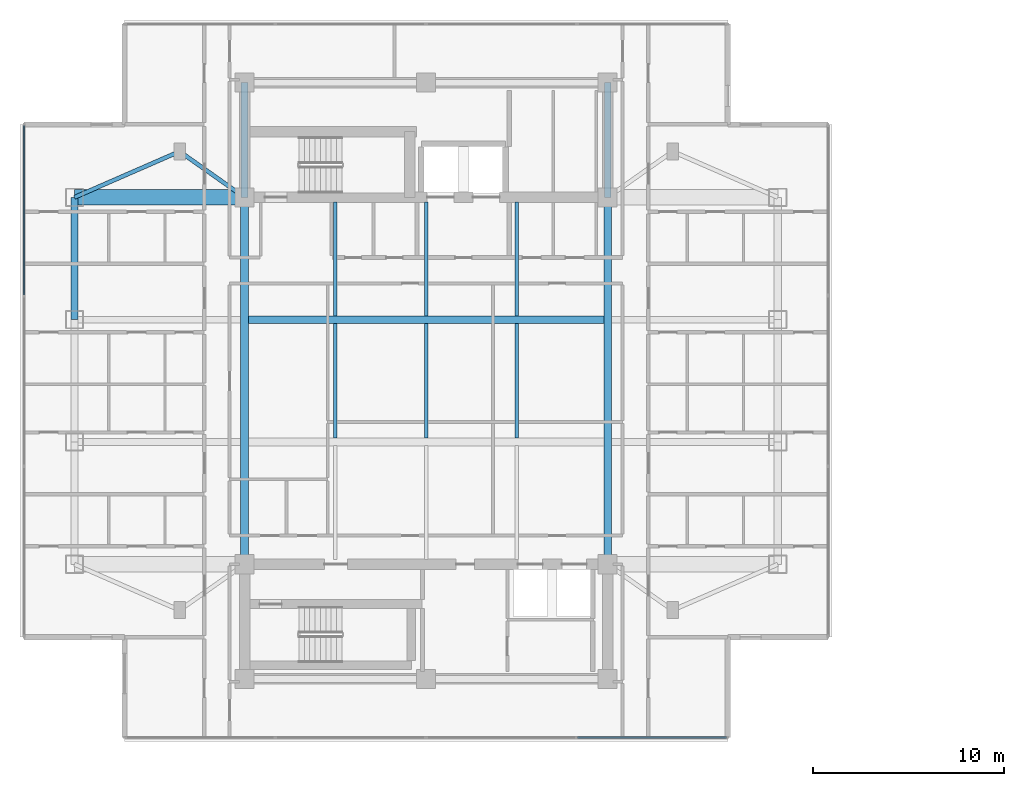
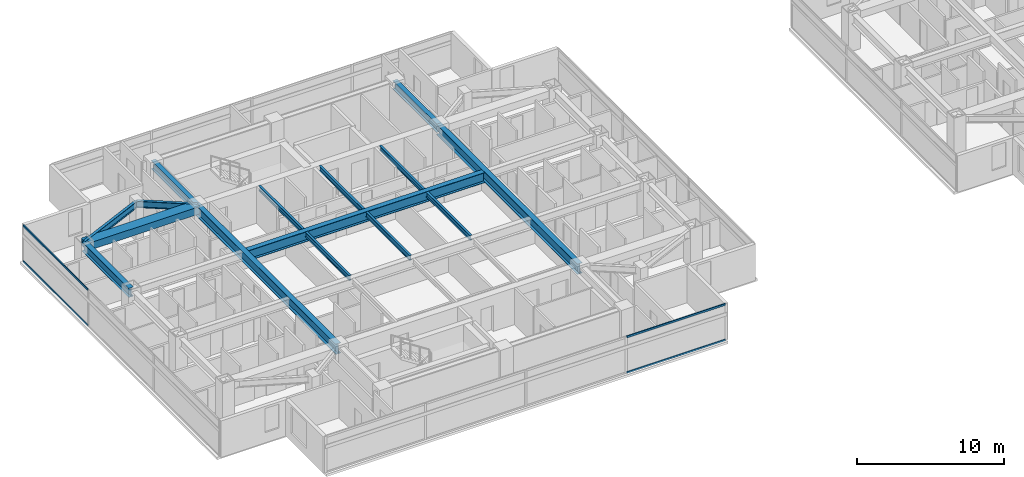
# One storey, part 3 of 26: 15 beams, 4 members, 2 elements without a shape of their own.
"""IFC4 building model written with IfcOpenShell, lengths in metres."""

from ifc_helpers import new_model, si_unit, direction, frame, origin, origin_2d, place, context, subcontext, project, spatial, rectangle, i_section, extrude, material, material_profile, profile_set, type_object, element, aggregate, save


model = new_model("IFC4")

# Units and contexts
model_context = context("Model", 3, precision=1e-05, world=origin(), true_north=direction((0.0, 1.0)))
body_context = subcontext(model_context, "Body", "Model", "MODEL_VIEW")
ifc_project = project(units=[si_unit("LENGTHUNIT", "METRE"), si_unit("AREAUNIT", "SQUARE_METRE"), si_unit("VOLUMEUNIT", "CUBIC_METRE"), si_unit("PLANEANGLEUNIT", "RADIAN"), si_unit("MASSUNIT", "GRAM", prefix="KILO")], contexts=[model_context])

# Site, building, storey
site_placement = place(None, origin())
site = spatial("IfcSite", under=ifc_project, at=site_placement, CompositionType="ELEMENT")
building_placement = place(site_placement, origin())
building = spatial("IfcBuilding", under=site, at=building_placement, Name="Mirazonda Arch Towers", CompositionType="ELEMENT")
storey_placement = place(building_placement, frame((0.0, 0.0, 170.64990234375)))
storey = spatial("IfcBuildingStorey", under=building, at=storey_placement, Name="L48", CompositionType="ELEMENT", Elevation=170.64990234375)

# Beams
ifc_material_1 = material(Name="Steel ASTM A992 Grade 50", Category="steel")
ifc_material_profile_1 = material_profile(ifc_material_1, i_section(OverallWidth=0.381103515625, OverallDepth=0.77294921875, WebThickness=0.0166015625, FlangeThickness=0.027099609375, at=origin_2d()), Name="W30X173")
ifc_profile_set_1 = profile_set([ifc_material_profile_1], Name="Steel ASTM A992 Grade 50")
beam_type_1 = type_object("IfcBeamType", Name="BM-EXT-W30X173", PredefinedType="USERDEFINED", material=ifc_profile_set_1)
beam_1_placement = place(storey_placement, frame((2.10009765625, 31.199951171875, 2.66357421875), z_axis=(0.0, 1.0, 0.0), x_axis=(-1.0, 0.0, 0.0)))
element("IfcBeam", 1, at=beam_1_placement, inside=storey, type_object=beam_type_1, Name="L48 Floor Beam BM-T1-L48-NS-W-31", ObjectType="GIRDER", PredefinedType="USERDEFINED", context=body_context, shape_type="SweptSolid", body=[
    extrude(i_section(OverallWidth=0.381103515625, OverallDepth=0.77294921875, WebThickness=0.0166015625, FlangeThickness=0.027099609375, at=origin_2d()), origin(), (0.0, 0.0, 1.0), 6.400146484375),
])
ifc_material_profile_2 = material_profile(ifc_material_1, i_section(OverallWidth=0.180908203125, OverallDepth=0.4169921875, WebThickness=0.010986328125, FlangeThickness=0.018310546875, at=origin_2d()), Name="W16X57")
ifc_profile_set_2 = profile_set([ifc_material_profile_2], Name="Steel ASTM A992 Grade 50")
beam_type_2 = type_object("IfcBeamType", Name="BM-INT-W16X57", PredefinedType="JOIST", material=ifc_profile_set_2)
beam_2_placement = place(storey_placement, frame((15.75, 31.39599609375, 2.841552734375), z_axis=(0.0, 1.0, 0.0), x_axis=(-1.0, 0.0, 0.0)))
element("IfcBeam", 2, at=beam_2_placement, inside=storey, type_object=beam_type_2, Name="L48 Floor Beam BM-T1-L48-J-157-31", PredefinedType="JOIST", context=body_context, shape_type="SweptSolid", body=[
    extrude(i_section(OverallWidth=0.180908203125, OverallDepth=0.4169921875, WebThickness=0.010986328125, FlangeThickness=0.018310546875, at=origin_2d()), origin(), (0.0, 0.0, 1.0), 5.964111328125),
])
beam_3_placement = place(storey_placement, frame((15.75, 24.99609375, 2.841552734375), z_axis=(0.0, 1.0, 0.0), x_axis=(-1.0, 0.0, 0.0)))
element("IfcBeam", 3, at=beam_3_placement, inside=storey, type_object=beam_type_2, Name="L48 Floor Beam BM-T1-L48-J-157-24", PredefinedType="JOIST", context=body_context, shape_type="SweptSolid", body=[
    extrude(i_section(OverallWidth=0.180908203125, OverallDepth=0.4169921875, WebThickness=0.010986328125, FlangeThickness=0.018310546875, at=origin_2d()), origin(), (0.0, 0.0, 1.0), 6.0078125),
])
beam_4_placement = place(storey_placement, frame((20.5, 31.39599609375, 2.841552734375), z_axis=(0.0, 1.0, 0.0), x_axis=(-1.0, 0.0, 0.0)))
element("IfcBeam", 4, at=beam_4_placement, inside=storey, type_object=beam_type_2, Name="L48 Floor Beam BM-T1-L48-J-205-31", PredefinedType="JOIST", context=body_context, shape_type="SweptSolid", body=[
    extrude(i_section(OverallWidth=0.180908203125, OverallDepth=0.4169921875, WebThickness=0.010986328125, FlangeThickness=0.018310546875, at=origin_2d()), origin(), (0.0, 0.0, 1.0), 5.964111328125),
])
beam_5_placement = place(storey_placement, frame((20.5, 24.99609375, 2.841552734375), z_axis=(0.0, 1.0, 0.0), x_axis=(-1.0, 0.0, 0.0)))
element("IfcBeam", 5, at=beam_5_placement, inside=storey, type_object=beam_type_2, Name="L48 Floor Beam BM-T1-L48-J-205-24", PredefinedType="JOIST", context=body_context, shape_type="SweptSolid", body=[
    extrude(i_section(OverallWidth=0.180908203125, OverallDepth=0.4169921875, WebThickness=0.010986328125, FlangeThickness=0.018310546875, at=origin_2d()), origin(), (0.0, 0.0, 1.0), 6.0078125),
])
beam_6_placement = place(storey_placement, frame((25.25, 31.39599609375, 2.841552734375), z_axis=(0.0, 1.0, 0.0), x_axis=(-1.0, 0.0, 0.0)))
element("IfcBeam", 6, at=beam_6_placement, inside=storey, type_object=beam_type_2, Name="L48 Floor Beam BM-T1-L48-J-252-31", PredefinedType="JOIST", context=body_context, shape_type="SweptSolid", body=[
    extrude(i_section(OverallWidth=0.180908203125, OverallDepth=0.4169921875, WebThickness=0.010986328125, FlangeThickness=0.018310546875, at=origin_2d()), origin(), (0.0, 0.0, 1.0), 5.964111328125),
])
beam_7_placement = place(storey_placement, frame((25.25, 24.99609375, 2.841552734375), z_axis=(0.0, 1.0, 0.0), x_axis=(-1.0, 0.0, 0.0)))
element("IfcBeam", 7, at=beam_7_placement, inside=storey, type_object=beam_type_2, Name="L48 Floor Beam BM-T1-L48-J-252-24", PredefinedType="JOIST", context=body_context, shape_type="SweptSolid", body=[
    extrude(i_section(OverallWidth=0.180908203125, OverallDepth=0.4169921875, WebThickness=0.010986328125, FlangeThickness=0.018310546875, at=origin_2d()), origin(), (0.0, 0.0, 1.0), 6.0078125),
])
ifc_material_profile_3 = material_profile(ifc_material_1, i_section(OverallWidth=0.214111328125, OverallDepth=0.549072265625, WebThickness=0.0146484375, FlangeThickness=0.023681640625, at=origin_2d()), Name="W21X93")
ifc_profile_set_3 = profile_set([ifc_material_profile_3], Name="Steel ASTM A992 Grade 50")
beam_type_3 = type_object("IfcBeamType", Name="BM-INT-W21X93", PredefinedType="BEAM", material=ifc_profile_set_3)
beam_8_placement = place(storey_placement, frame((7.60009765625, 40.0, 2.775634765625), z_axis=(0.816971114901, -0.576678591087, 0.0), x_axis=(0.576678591087, 0.816971114901, 0.0)))
element("IfcBeam", 8, at=beam_8_placement, inside=storey, type_object=beam_type_3, Name="L48 Floor Beam BM-T1-L48-PL-NW1", PredefinedType="BEAM", context=body_context, shape_type="SweptSolid", body=[
    extrude(i_section(OverallWidth=0.214111328125, OverallDepth=0.549072265625, WebThickness=0.0146484375, FlangeThickness=0.023681640625, at=origin_2d()), origin(), (0.0, 0.0, 1.0), 4.16162109375),
])
beam_9_placement = place(storey_placement, frame((7.60009765625, 40.0, 2.775634765625), z_axis=(-0.916545343703, -0.399930785183, 0.0), x_axis=(0.399930785183, -0.916545343703, 0.0)))
element("IfcBeam", 9, at=beam_9_placement, inside=storey, type_object=beam_type_3, Name="L48 Floor Beam BM-T1-L48-PL-NW2", PredefinedType="BEAM", context=body_context, shape_type="SweptSolid", body=[
    extrude(i_section(OverallWidth=0.214111328125, OverallDepth=0.549072265625, WebThickness=0.0146484375, FlangeThickness=0.023681640625, at=origin_2d()), origin(), (0.0, 0.0, 1.0), 6.000732421875),
])
ifc_material_profile_4 = material_profile(ifc_material_1, i_section(OverallWidth=0.35498046875, OverallDepth=0.696044921875, WebThickness=0.015380859375, FlangeThickness=0.02490234375, at=origin_2d()), Name="W27X146")
ifc_profile_set_4 = profile_set([ifc_material_profile_4], Name="Steel ASTM A992 Grade 50")
beam_type_4 = type_object("IfcBeamType", Name="BM-INT-W27X146", PredefinedType="BEAM", material=ifc_profile_set_4)
for number, where, z_axis, x_axis, name in (
    (10, (11.0, 37.60009765625, 2.7021484375), (0.0, 1.0, 0.0), (-1.0, 0.0, 0.0), "L48 Floor Beam BM-T1-L48-CNW"),
    (11, (30.0, 37.60009765625, 2.7021484375), (0.0, 1.0, 0.0), (-1.0, 0.0, 0.0), "L48 Floor Beam BM-T1-L48-CNE"),
):
    element("IfcBeam", number, at=place(storey_placement, frame(where, z_axis=z_axis, x_axis=x_axis)), inside=storey, type_object=beam_type_4, Name=name, PredefinedType="BEAM", context=body_context, shape_type="SweptSolid", body=[
        extrude(i_section(OverallWidth=0.35498046875, OverallDepth=0.696044921875, WebThickness=0.015380859375, FlangeThickness=0.02490234375, at=origin_2d()), origin(), (0.0, 0.0, 1.0), 6.0),
    ])
ifc_material_profile_5 = material_profile(ifc_material_1, i_section(OverallWidth=0.39990234375, OverallDepth=0.85595703125, WebThickness=0.018310546875, FlangeThickness=0.029296875, at=origin_2d()), Name="W33X201")
ifc_profile_set_5 = profile_set([ifc_material_profile_5], Name="Steel ASTM A992 Grade 50")
beam_type_5 = type_object("IfcBeamType", Name="BM-INT-W33X201", PredefinedType="USERDEFINED", material=ifc_profile_set_5)
beam_10_placement = place(storey_placement, frame((11.199951171875, 31.199951171875, 2.6220703125), z_axis=(1.0, 0.0, 0.0), x_axis=(0.0, 1.0, 0.0)))
element("IfcBeam", 12, at=beam_10_placement, inside=storey, type_object=beam_type_5, Name="L48 Floor Beam BM-T1-L48-GC3", ObjectType="GIRDER", PredefinedType="USERDEFINED", context=body_context, shape_type="SweptSolid", body=[
    extrude(i_section(OverallWidth=0.39990234375, OverallDepth=0.85595703125, WebThickness=0.018310546875, FlangeThickness=0.029296875, at=origin_2d()), origin(), (0.0, 0.0, 1.0), 18.60009765625),
])
for number, where, z_axis, x_axis, name in (
    (13, (11.0, 18.39990234375, 2.6220703125), (0.0, 1.0, 0.0), (-1.0, 0.0, 0.0), "L48 Floor Beam BM-T1-L48-NS-CW-FULL"),
    (14, (30.0, 18.39990234375, 2.6220703125), (0.0, 1.0, 0.0), (-1.0, 0.0, 0.0), "L48 Floor Beam BM-T1-L48-NS-CE-FULL"),
):
    element("IfcBeam", number, at=place(storey_placement, frame(where, z_axis=z_axis, x_axis=x_axis)), inside=storey, type_object=beam_type_5, Name=name, ObjectType="GIRDER", PredefinedType="USERDEFINED", context=body_context, shape_type="SweptSolid", body=[
        extrude(i_section(OverallWidth=0.39990234375, OverallDepth=0.85595703125, WebThickness=0.018310546875, FlangeThickness=0.029296875, at=origin_2d()), origin(), (0.0, 0.0, 1.0), 19.2001953125),
    ])
ifc_material_2 = material(Name="Concrete C60/75", Category="concrete")
ifc_material_profile_6 = material_profile(ifc_material_2, rectangle(XDim=0.800048828125, YDim=0.60009765625, at=origin_2d()), Name="RCCB800x600")
ifc_profile_set_6 = profile_set([ifc_material_profile_6], Name="Concrete C60/75")
beam_type_6 = type_object("IfcBeamType", Name="CB-INT-RCCB800x600", PredefinedType="SPANDREL", material=ifc_profile_set_6)
beam_11_placement = place(storey_placement, frame((2.10009765625, 37.60009765625, 2.75), z_axis=(1.0, 0.0, 0.0), x_axis=(0.0, 1.0, 0.0)))
element("IfcBeam", 15, at=beam_11_placement, inside=storey, type_object=beam_type_6, Name="L48 Floor Beam CBC-T1-L48-NW", PredefinedType="SPANDREL", context=body_context, shape_type="SweptSolid", body=[
    extrude(rectangle(XDim=0.800048828125, YDim=0.60009765625, at=origin_2d()), origin(), (0.0, 0.0, 1.0), 8.89990234375),
])

# Curtain wall, members
ifc_material_3 = material(Name="Anodised Aluminium and Low-E Glass", Category="aluminium")
curtain_wall_type = type_object("IfcCurtainWallType", Name="CW-RES-UNIT", PredefinedType="NOTDEFINED", material=ifc_material_3)
curtain_wall_1_placement = place(storey_placement, origin())
curtain_wall_1 = element("IfcCurtainWall", 16, at=curtain_wall_1_placement, inside=storey, type_object=curtain_wall_type, Name="L48 T1 S Facade CW-L48-T1-S", PredefinedType="NOTDEFINED")
ifc_material_4 = material(Name="Anodised Aluminium Alloy", Category="aluminium")
ifc_material_profile_7 = material_profile(ifc_material_4, rectangle(XDim=0.074951171875, YDim=0.155029296875, at=origin_2d()), Name="ALU-TRAN-75x155")
ifc_profile_set_7 = profile_set([ifc_material_profile_7], Name="Anodised Aluminium Alloy")
member_type = type_object("IfcMemberType", Name="TRAN-CW-RES-UNIT", PredefinedType="USERDEFINED", material=ifc_profile_set_7)
member_1_placement = place(storey_placement, frame((36.2099609375, 9.340087890625, 0.03759765625), z_axis=(-1.0, 0.0, 0.0), x_axis=(0.0, -1.0, 0.0)))
member_1 = element("IfcMember", 17, at=member_1_placement, type_object=member_type, Name="CW-104 transom 1.1", ObjectType="TRANSOM", PredefinedType="USERDEFINED", context=body_context, shape_type="SweptSolid", body=[
    extrude(rectangle(XDim=0.074951171875, YDim=0.155029296875, at=origin_2d()), origin(), (0.0, 0.0, 1.0), 7.780029296875),
])
member_2_placement = place(storey_placement, frame((36.2099609375, 9.340087890625, 2.99267578125), z_axis=(-1.0, 0.0, 0.0), x_axis=(0.0, -1.0, 0.0)))
member_2 = element("IfcMember", 18, at=member_2_placement, type_object=member_type, Name="CW-104 transom 1.2", ObjectType="TRANSOM", PredefinedType="USERDEFINED", context=body_context, shape_type="SweptSolid", body=[
    extrude(rectangle(XDim=0.074951171875, YDim=0.155029296875, at=origin_2d()), origin(), (0.0, 0.0, 1.0), 7.780029296875),
])
aggregate(curtain_wall_1, [member_1, member_2])

curtain_wall_2_placement = place(storey_placement, origin())
curtain_wall_2 = element("IfcCurtainWall", 19, at=curtain_wall_2_placement, inside=storey, type_object=curtain_wall_type, Name="L48 T1 W Facade CW-L48-T1-W", PredefinedType="NOTDEFINED")
member_3_placement = place(storey_placement, frame((-0.530029296875, 41.340087890625, 0.03759765625), z_axis=(0.0, -1.0, 0.0), x_axis=(1.0, 0.0, 0.0)))
member_3 = element("IfcMember", 20, at=member_3_placement, type_object=member_type, Name="CW-104 transom 1.1", ObjectType="TRANSOM", PredefinedType="USERDEFINED", context=body_context, shape_type="SweptSolid", body=[
    extrude(rectangle(XDim=0.074951171875, YDim=0.155029296875, at=origin_2d()), origin(), (0.0, 0.0, 1.0), 8.830810546875),
])
member_4_placement = place(storey_placement, frame((-0.530029296875, 41.340087890625, 2.99267578125), z_axis=(0.0, -1.0, 0.0), x_axis=(1.0, 0.0, 0.0)))
member_4 = element("IfcMember", 21, at=member_4_placement, type_object=member_type, Name="CW-104 transom 1.2", ObjectType="TRANSOM", PredefinedType="USERDEFINED", context=body_context, shape_type="SweptSolid", body=[
    extrude(rectangle(XDim=0.074951171875, YDim=0.155029296875, at=origin_2d()), origin(), (0.0, 0.0, 1.0), 8.830810546875),
])
aggregate(curtain_wall_2, [member_3, member_4])

save(model, "model.ifc")
